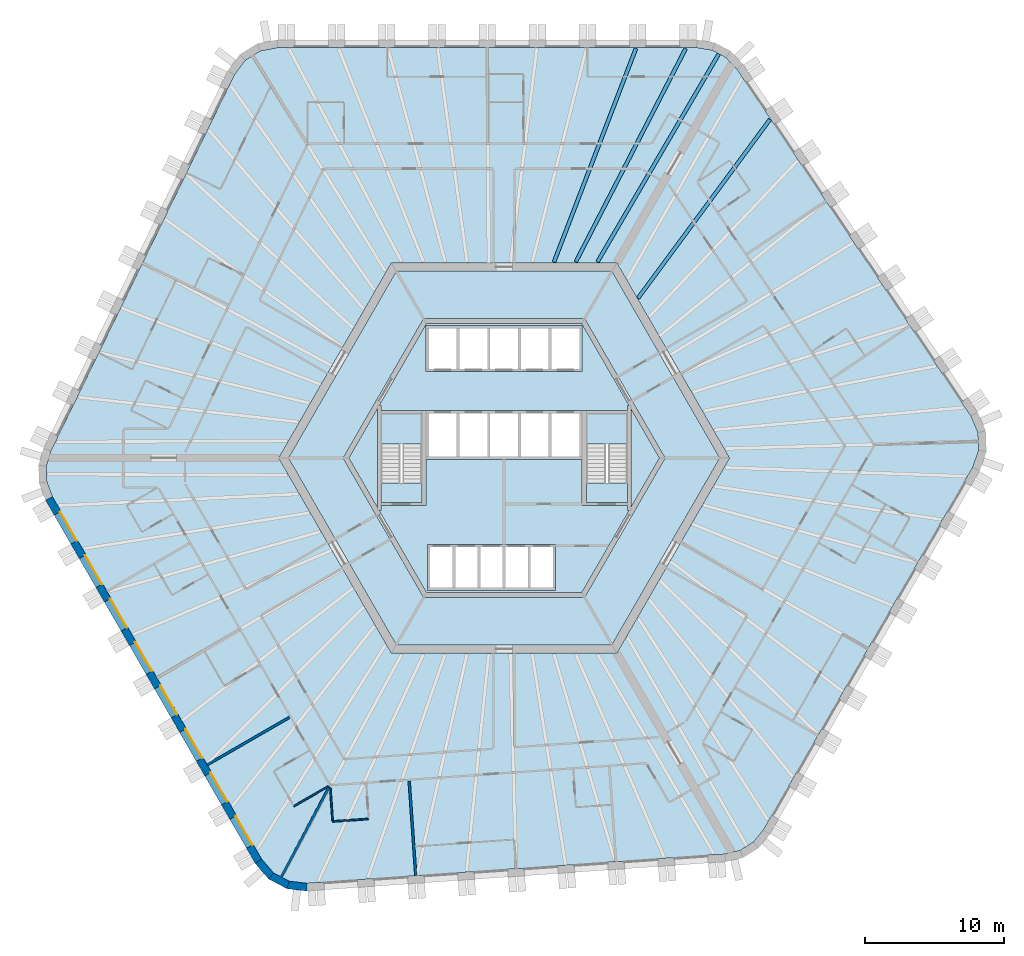
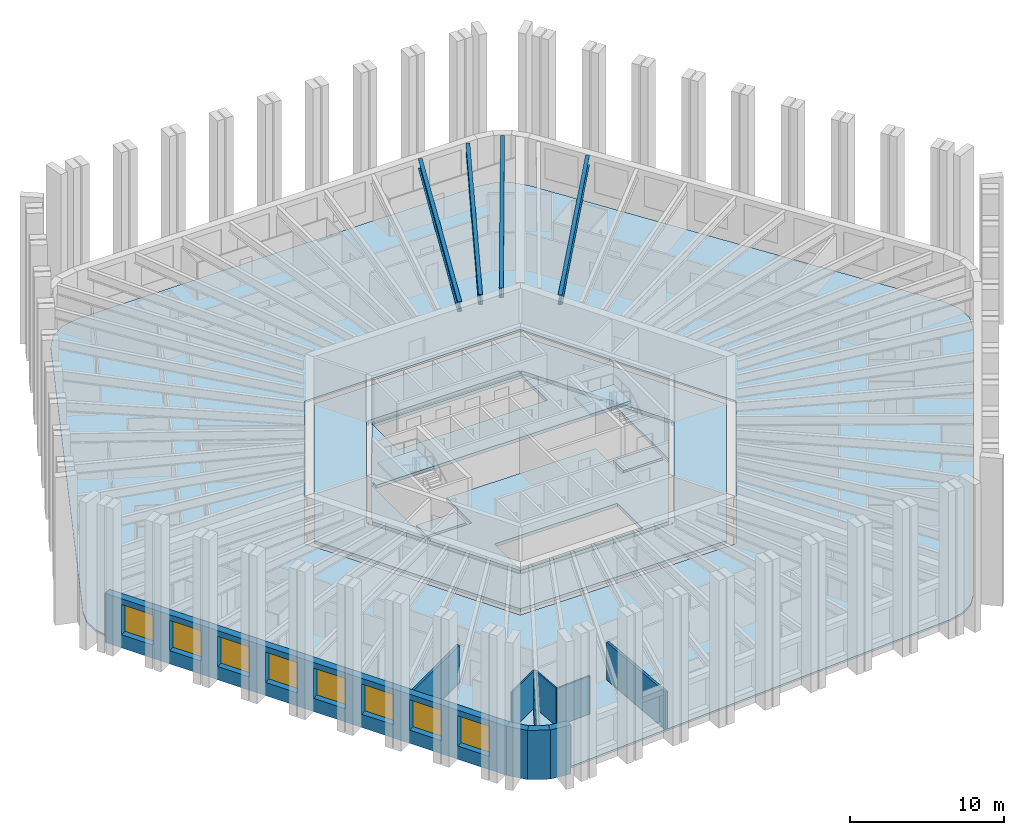
# One storey, part 2 of 12: 10 slabs, 10 walls, 8 windows, 4 beams, 8 openings, 2 elements without a shape of their own.
"""IFC4 building model written with IfcOpenShell, lengths in metres."""

from ifc_helpers import new_model, si_unit, direction, frame, frame_2d, origin, origin_2d, place, context, subcontext, project, spatial, polyline, rectangle, i_section, outline, extrude, material, layer, layer_set, material_profile, profile_set, type_object, element, fill, aggregate, save


model = new_model("IFC4")

# Units and contexts
model_context = context("Model", 3, precision=1e-05, world=origin(), true_north=direction((0.0, 1.0)))
body_context = subcontext(model_context, "Body", "Model", "MODEL_VIEW")
ifc_project = project(units=[si_unit("LENGTHUNIT", "METRE"), si_unit("AREAUNIT", "SQUARE_METRE"), si_unit("VOLUMEUNIT", "CUBIC_METRE"), si_unit("PLANEANGLEUNIT", "RADIAN"), si_unit("MASSUNIT", "GRAM", prefix="KILO")], contexts=[model_context])

# Site, building, storey
site_placement = place(None, origin())
site = spatial("IfcSite", under=ifc_project, at=site_placement, CompositionType="ELEMENT")
building_placement = place(site_placement, origin())
building = spatial("IfcBuilding", under=site, at=building_placement, Name="Tarnside Tower", CompositionType="ELEMENT")
storey_placement = place(building_placement, frame((0.0, 0.0, 49.199951171875)))
storey = spatial("IfcBuildingStorey", under=building, at=storey_placement, Name="L09", CompositionType="ELEMENT", Elevation=49.199951171875)

# Beams
ifc_material_1 = material(Name="Steel S355", Category="steel")
ifc_material_profile = material_profile(ifc_material_1, i_section(OverallWidth=0.2666015625, OverallDepth=0.76220703125, WebThickness=0.014404296875, FlangeThickness=0.021484375, FilletRadius=0.0166015625, at=origin_2d()), Name="UB 762x267x173")
ifc_profile_set = profile_set([ifc_material_profile], Name="Steel S355")
beam_type = type_object("IfcBeamType", Name="Floor beam UB 762x267x173", PredefinedType="BEAM", material=ifc_profile_set)
beam_1_placement = place(storey_placement, frame((13.0283203125, 29.37890625, 3.368896484375), z_axis=(-0.457973226459, -0.888965985765, 0.0), x_axis=(0.888965985765, -0.457973226459, 0.0)))
element("IfcBeam", 1, at=beam_1_placement, inside=storey, type_object=beam_type, Name="Floor beam F1.01", PredefinedType="BEAM", context=body_context, shape_type="SweptSolid", body=[
    extrude(i_section(OverallWidth=0.2666015625, OverallDepth=0.76220703125, WebThickness=0.014404296875, FlangeThickness=0.021484375, FilletRadius=0.0166015625, at=origin_2d()), origin(), (0.0, 0.0, 1.0), 17.219970703125),
])
beam_2_placement = place(storey_placement, frame((9.4619140625, 29.39404296875, 3.368896484375), z_axis=(-0.358299847269, -0.933606565662, 0.0), x_axis=(0.933606565662, -0.358299847269, 0.0)))
element("IfcBeam", 2, at=beam_2_placement, inside=storey, type_object=beam_type, Name="Floor beam F1.02", PredefinedType="BEAM", context=body_context, shape_type="SweptSolid", body=[
    extrude(i_section(OverallWidth=0.2666015625, OverallDepth=0.76220703125, WebThickness=0.014404296875, FlangeThickness=0.021484375, FilletRadius=0.0166015625, at=origin_2d()), origin(), (0.0, 0.0, 1.0), 16.428955078125),
])
beam_3_placement = place(storey_placement, frame((19.072021484375, 24.28857421875, 3.368896484375), z_axis=(-0.593986893499, -0.804474717037, 0.0), x_axis=(0.804474717037, -0.593986893499, 0.0)))
element("IfcBeam", 3, at=beam_3_placement, inside=storey, type_object=beam_type, Name="Floor beam F6.08", PredefinedType="BEAM", context=body_context, shape_type="SweptSolid", body=[
    extrude(i_section(OverallWidth=0.2666015625, OverallDepth=0.76220703125, WebThickness=0.014404296875, FlangeThickness=0.021484375, FilletRadius=0.0166015625, at=origin_2d()), origin(), (0.0, 0.0, 1.0), 15.934326171875),
])
beam_4_placement = place(storey_placement, frame((15.4013671875, 28.990478515625, 3.368896484375), z_axis=(-0.503858723096, -0.863786077198, 0.0), x_axis=(0.863786077198, -0.503858723096, 0.0)))
element("IfcBeam", 4, at=beam_4_placement, inside=storey, type_object=beam_type, Name="Floor beam C6", PredefinedType="BEAM", context=body_context, shape_type="SweptSolid", body=[
    extrude(i_section(OverallWidth=0.2666015625, OverallDepth=0.76220703125, WebThickness=0.014404296875, FlangeThickness=0.021484375, FilletRadius=0.0166015625, at=origin_2d()), origin(), (0.0, 0.0, 1.0), 17.2744140625),
])

# Slabs
ifc_material_2 = material(Name="Concrete C35/45", Category="concrete")
ifc_layer_1 = layer(ifc_material_2, 0.14990234375)
ifc_layer_set_1 = layer_set([ifc_layer_1], Name="Composite floor slab 150")
slab_type_1 = type_object("IfcSlabType", Name="Composite floor slab 150", PredefinedType="FLOOR", material=ifc_layer_set_1)
slab_1_placement = place(storey_placement, frame((0.0, 0.0, -0.14990234375)))
element("IfcSlab", 5, at=slab_1_placement, inside=storey, type_object=slab_type_1, Name="Floor slab L09", PredefinedType="FLOOR", context=body_context, shape_type="SweptSolid", body=[
    extrude(outline(polyline([(14.927490234375, 29.264892578125), (15.91455078125, 28.740234375), (16.697265625, 27.91064453125), (33.48583984375, 3.0205078125), (34.001220703125, 1.825439453125), (34.0458984375, 0.55078125), (33.614990234375, -0.67724609375), (18.603515625, -26.677978515625), (17.880615234375, -27.56005859375), (16.9326171875, -28.15234375), (15.82275390625, -28.41552734375), (-14.127197265625, -30.509765625), (-15.419921875, -30.358642578125), (-16.5458984375, -29.760009765625), (-17.39404296875, -28.772705078125), (-32.405517578125, -2.772216796875), (-32.80810546875, -1.704833984375), (-32.846923828125, -0.587890625), (-32.52001953125, 0.5048828125), (-19.358642578125, 27.4892578125), (-18.58154296875, 28.533203125), (-17.5, 29.208984375), (-16.220947265625, 29.449951171875), (13.802001953125, 29.449951171875), (14.927490234375, 29.264892578125)]), holes=[polyline([(-16.165771484375, 0.0), (-8.0830078125, -14.0), (8.0830078125, -14.0), (16.165771484375, 0.0), (8.0830078125, 14.0), (-8.0830078125, 14.0), (-16.165771484375, 0.0)])]), origin(), (0.0, 0.0, 1.0), 0.14990234375),
])
ifc_material_3 = material(Name="Concrete C40/50", Category="concrete")
ifc_layer_2 = layer(ifc_material_3, 0.25)
ifc_layer_set_2 = layer_set([ifc_layer_2], Name="Core slab C40/50")
slab_type_2 = type_object("IfcSlabType", Name="Core slab C40/50", PredefinedType="FLOOR", material=ifc_layer_set_2)
slab_2_placement = place(storey_placement, frame((0.0, 0.0, -0.25)))
element("IfcSlab", 6, at=slab_2_placement, inside=storey, type_object=slab_type_2, Name="L09 core floor slab 1", PredefinedType="FLOOR", context=body_context, shape_type="SweptSolid", body=[
    extrude(outline(polyline([(-15.472900390625, 0.0), (-7.736572265625, 13.39990234375), (7.736572265625, 13.39990234375), (15.472900390625, 0.0), (7.736572265625, -13.39990234375), (-7.736572265625, -13.39990234375), (-15.472900390625, 0.0)]), holes=[polyline([(5.823974609375, -9.91259765625), (11.49658203125, -0.08740234375), (11.344970703125, 0.0), (11.49658203125, 0.08740234375), (5.823974609375, 9.91259765625), (5.672607421875, 9.824951171875), (5.672607421875, 10.0), (-5.672607421875, 10.0), (-5.672607421875, 9.824951171875), (-5.823974609375, 9.91259765625), (-11.49658203125, 0.08740234375), (-11.344970703125, 0.0), (-11.49658203125, -0.08740234375), (-5.823974609375, -9.91259765625), (-5.672607421875, -9.824951171875), (-5.672607421875, -10.0), (5.672607421875, -10.0), (5.672607421875, -9.824951171875), (5.823974609375, -9.91259765625)])]), origin(), (0.0, 0.0, 1.0), 0.25),
])
slab_3_placement = place(storey_placement, frame((0.0, 0.0, -0.25)))
element("IfcSlab", 7, at=slab_3_placement, inside=storey, type_object=slab_type_2, Name="L09 core floor slab 2", PredefinedType="FLOOR", context=body_context, shape_type="SweptSolid", body=[
    extrude(outline(polyline([(-8.97509765625, 3.7548828125), (-5.5712890625, 9.64990234375), (5.5712890625, 9.64990234375), (8.97509765625, 3.7548828125), (8.85009765625, 3.7548828125), (8.85009765625, 3.39990234375), (5.89990234375, 3.39990234375), (5.60009765625, 3.39990234375), (5.60009765625, 3.39990234375), (-5.60009765625, 3.39990234375), (-5.89990234375, 3.39990234375), (-8.85009765625, 3.39990234375), (-8.85009765625, 3.7548828125), (-8.97509765625, 3.7548828125)]), holes=[polyline([(-5.60009765625, 6.199951171875), (5.60009765625, 6.199951171875), (5.60009765625, 6.39990234375), (5.60009765625, 9.300048828125), (5.60009765625, 9.5), (-5.60009765625, 9.5), (-5.60009765625, 9.300048828125), (-5.60009765625, 6.39990234375), (-5.60009765625, 6.199951171875)])]), origin(), (0.0, 0.0, 1.0), 0.25),
])
slab_4_placement = place(storey_placement, frame((0.0, 0.0, -0.25)))
element("IfcSlab", 8, at=slab_4_placement, inside=storey, type_object=slab_type_2, Name="L09 core floor slab 3", PredefinedType="FLOOR", context=body_context, shape_type="SweptSolid", body=[
    extrude(outline(polyline([(5.60009765625, -3.39990234375), (5.89990234375, -3.39990234375), (8.85009765625, -3.39990234375), (8.85009765625, -3.7548828125), (8.97509765625, -3.7548828125), (5.5712890625, -9.64990234375), (-5.5712890625, -9.64990234375), (-8.97509765625, -3.7548828125), (-8.85009765625, -3.7548828125), (-8.85009765625, -3.39990234375), (-5.89990234375, -3.39990234375), (-5.60009765625, -3.39990234375), (-5.60009765625, -0.10009765625), (5.60009765625, -0.10009765625), (5.60009765625, -3.39990234375)]), holes=[polyline([(-5.5, -9.300048828125), (-5.5, -9.5), (3.699951171875, -9.5), (3.699951171875, -9.300048828125), (3.699951171875, -6.39990234375), (3.699951171875, -6.199951171875), (-5.5, -6.199951171875), (-5.5, -6.39990234375), (-5.5, -9.300048828125)])]), origin(), (0.0, 0.0, 1.0), 0.25),
])
slab_5_placement = place(storey_placement, frame((0.0, 0.0, -0.25)))
element("IfcSlab", 9, at=slab_5_placement, inside=storey, type_object=slab_type_2, Name="L09 core floor slab 4", PredefinedType="FLOOR", context=body_context, shape_type="SweptSolid", body=[
    extrude(outline(polyline([(-11.142822265625, 0.0), (-9.10009765625, 3.538330078125), (-9.10009765625, -3.538330078125), (-11.142822265625, 0.0)])), origin(), (0.0, 0.0, 1.0), 0.25),
])
slab_6_placement = place(storey_placement, frame((0.0, 0.0, -0.25)))
element("IfcSlab", 10, at=slab_6_placement, inside=storey, type_object=slab_type_2, Name="L09 core floor slab 5", PredefinedType="FLOOR", context=body_context, shape_type="SweptSolid", body=[
    extrude(outline(polyline([(-8.85009765625, -1.800048828125), (-5.89990234375, -1.800048828125), (-5.89990234375, -3.199951171875), (-8.85009765625, -3.199951171875), (-8.85009765625, -1.800048828125)])), origin(), (0.0, 0.0, 1.0), 0.25),
])
slab_7_placement = place(storey_placement, frame((0.0, 0.0, -0.25)))
element("IfcSlab", 11, at=slab_7_placement, inside=storey, type_object=slab_type_2, Name="L09 core floor slab 6", PredefinedType="FLOOR", context=body_context, shape_type="SweptSolid", body=[
    extrude(outline(polyline([(5.89990234375, -3.199951171875), (5.89990234375, -1.800048828125), (8.85009765625, -1.800048828125), (8.85009765625, -3.199951171875), (5.89990234375, -3.199951171875)])), origin(), (0.0, 0.0, 1.0), 0.25),
])
slab_8_placement = place(storey_placement, frame((0.0, 0.0, -0.25)))
element("IfcSlab", 12, at=slab_8_placement, inside=storey, type_object=slab_type_2, Name="L09 core floor slab 7", PredefinedType="FLOOR", context=body_context, shape_type="SweptSolid", body=[
    extrude(outline(polyline([(9.10009765625, -3.538330078125), (9.10009765625, 3.538330078125), (11.142822265625, 0.0), (9.10009765625, -3.538330078125)])), origin(), (0.0, 0.0, 1.0), 0.25),
])

# Stair, slab
stair_type = type_object("IfcStairType", Name="Exit stair 1400 clear", PredefinedType="HALF_TURN_STAIR", material=ifc_material_3)
stair_1_placement = place(storey_placement, origin())
stair_1 = element("IfcStair", 13, at=stair_1_placement, inside=storey, type_object=stair_type, Name="L09 Exit stair 1", PredefinedType="HALF_TURN_STAIR")
ifc_layer_3 = layer(ifc_material_3, 0.199951171875)
ifc_layer_set_3 = layer_set([ifc_layer_3], Name="Stair landing 200 C40/50")
slab_type_3 = type_object("IfcSlabType", Name="Stair landing 200 C40/50", PredefinedType="LANDING", material=ifc_layer_set_3)
slab_9_placement = place(storey_placement, frame((0.0, 0.0, 1.75)))
slab_9 = element("IfcSlab", 14, at=slab_9_placement, type_object=slab_type_3, Name="ST1 landing 1", PredefinedType="LANDING", context=body_context, shape_type="SweptSolid", body=[
    extrude(outline(polyline([(8.85009765625, 1.0), (8.85009765625, 3.199951171875), (5.89990234375, 3.199951171875), (5.89990234375, 1.0), (8.85009765625, 1.0)])), origin(), (0.0, 0.0, 1.0), 0.199951171875),
])
aggregate(stair_1, [slab_9])

stair_2_placement = place(storey_placement, origin())
stair_2 = element("IfcStair", 15, at=stair_2_placement, inside=storey, type_object=stair_type, Name="L09 Exit stair 2", PredefinedType="HALF_TURN_STAIR")
slab_10_placement = place(storey_placement, frame((0.0, 0.0, 1.75)))
slab_10 = element("IfcSlab", 16, at=slab_10_placement, type_object=slab_type_3, Name="ST2 landing 1", PredefinedType="LANDING", context=body_context, shape_type="SweptSolid", body=[
    extrude(outline(polyline([(-5.89990234375, 1.0), (-5.89990234375, 3.199951171875), (-8.85009765625, 3.199951171875), (-8.85009765625, 1.0), (-5.89990234375, 1.0)])), origin(), (0.0, 0.0, 1.0), 0.199951171875),
])
aggregate(stair_2, [slab_10])

# Walls
ifc_material_4 = material(Name="Gypsum board partition on steel studs", Category="steel")
ifc_layer_4 = layer(ifc_material_4, 0.10009765625)
ifc_layer_set_4 = layer_set([ifc_layer_4], Name="Bathroom wall 100")
wall_type_1 = type_object("IfcWallType", Name="Bathroom wall 100", PredefinedType="PARTITIONING", material=ifc_layer_set_4)
wall_1_placement = place(storey_placement, frame((-12.631591796875, -23.5634765625, 0.0), z_axis=(0.0, 0.0, 1.0), x_axis=(-0.866014564827, -0.500018773155, 0.0)))
element("IfcWall", 17, at=wall_1_placement, inside=storey, type_object=wall_type_1, Name="Bathroom wall 02113", PredefinedType="PARTITIONING", context=body_context, shape_type="SweptSolid", body=[
    extrude(rectangle(XDim=2.8291015625, YDim=0.10009765625, at=frame_2d((1.41455078125, 0.0))), origin(), (0.0, 0.0, 1.0), 2.98779296875),
])
wall_2_placement = place(storey_placement, frame((-9.75830078125, -25.893798828125, 0.0), z_axis=(0.0, 0.0, 1.0), x_axis=(-0.997561167558, -0.069797686069, 0.0)))
element("IfcWall", 18, at=wall_2_placement, inside=storey, type_object=wall_type_1, Name="Bathroom wall 02118", PredefinedType="PARTITIONING", context=body_context, shape_type="SweptSolid", body=[
    extrude(rectangle(XDim=2.5498046875, YDim=0.10009765625, at=frame_2d((1.27490234375, 0.0))), origin(), (0.0, 0.0, 1.0), 2.98779296875),
])
wall_3_placement = place(storey_placement, frame((-12.3056640625, -26.021728515625, 0.0), z_axis=(0.0, 0.0, 1.0), x_axis=(-0.069686144822, 0.997568965646, 0.0)))
element("IfcWall", 19, at=wall_3_placement, inside=storey, type_object=wall_type_1, Name="Bathroom wall 02119", PredefinedType="PARTITIONING", context=body_context, shape_type="SweptSolid", body=[
    extrude(rectangle(XDim=2.37890625, YDim=0.10009765625, at=frame_2d((1.189453125, 0.0))), origin(), (0.0, 0.0, 1.0), 2.98779296875),
])
ifc_layer_5 = layer(ifc_material_4, 0.179931640625)
ifc_layer_set_5 = layer_set([ifc_layer_5], Name="Demising wall 180 EI 60")
wall_type_2 = type_object("IfcWallType", Name="Demising wall 180 EI 60", PredefinedType="PARTITIONING", material=ifc_layer_set_5)
wall_4_placement = place(storey_placement, frame((-21.298828125, -22.00927734375, 0.0), z_axis=(0.0, 0.0, 1.0), x_axis=(0.866019982719, 0.500009389444, 0.0)))
element("IfcWall", 20, at=wall_4_placement, inside=storey, type_object=wall_type_2, Name="Demising wall 02112", PredefinedType="PARTITIONING", context=body_context, shape_type="SweptSolid", body=[
    extrude(rectangle(XDim=6.824951171875, YDim=0.179931640625, at=frame_2d((3.41259765625, 0.0))), origin(), (0.0, 0.0, 1.0), 2.98779296875),
])
wall_5_placement = place(storey_placement, frame((-15.98291015625, -30.059326171875, 0.0), z_axis=(0.0, 0.0, 1.0), x_axis=(0.469493679368, 0.882935832909, 0.0)))
element("IfcWall", 21, at=wall_5_placement, inside=storey, type_object=wall_type_2, Name="Demising wall 02116", PredefinedType="PARTITIONING", context=body_context, shape_type="SweptSolid", body=[
    extrude(rectangle(XDim=7.365478515625, YDim=0.179931640625, at=frame_2d((3.6826171875, 0.0))), origin(), (0.0, 0.0, 1.0), 2.98779296875),
])
wall_6_placement = place(storey_placement, frame((-6.336181640625, -29.965087890625, 0.0), z_axis=(0.0, 0.0, 1.0), x_axis=(-0.069790326764, 0.997561682449, 0.0)))
element("IfcWall", 22, at=wall_6_placement, inside=storey, type_object=wall_type_2, Name="Demising wall 02120", PredefinedType="PARTITIONING", context=body_context, shape_type="SweptSolid", body=[
    extrude(rectangle(XDim=6.824951171875, YDim=0.179931640625, at=frame_2d((3.41259765625, 0.0))), origin(), (0.0, 0.0, 1.0), 2.98779296875),
])

# Wall, openings, windows
ifc_material_5 = material(Name="Facing brick", Category="masonry")
ifc_layer_6 = layer(ifc_material_5, 0.10205078125)
ifc_material_6 = material(Name="Concrete C60/75 precast", Category="concrete")
ifc_layer_7 = layer(ifc_material_6, 0.347900390625)
ifc_material_7 = material(Name="Mineral wool insulation")
ifc_layer_8 = layer(ifc_material_7, 0.10009765625)
ifc_layer_set_6 = layer_set([ifc_layer_6, ifc_layer_7, ifc_layer_8], Name="Tube wall 550 brick faced")
wall_type_3 = type_object("IfcWallType", Name="Tube wall 550 brick faced", PredefinedType="SOLIDWALL", material=ifc_layer_set_6)
wall_7_placement = place(storey_placement, frame((-32.65478515625, -2.89013671875, -0.14990234375), z_axis=(0.0, 0.0, 1.0), x_axis=(0.499997711317, -0.866026725152, 0.0)))
wall_7 = element("IfcWall", 23, at=wall_7_placement, inside=storey, type_object=wall_type_3, Name="Tube wall L09 F3 flush 08", PredefinedType="SOLIDWALL", context=body_context, shape_type="SweptSolid", body=[
    extrude(outline(polyline([(-0.0224609375, -0.27490234375), (30.0966796875, -0.27490234375), (30.04541015625, 0.27490234375), (0.0224609375, 0.27490234375), (-0.0224609375, -0.27490234375)])), origin(), (0.0, 0.0, 1.0), 3.89990234375),
])
opening_1_placement = place(wall_7_placement, frame((1.235595703125, 0.0, 1.050048828125)))
opening_1 = element("IfcOpeningElement", 24, at=opening_1_placement, cuts=wall_7, Name="Opening WH", PredefinedType="OPENING", context=body_context, shape_type="SweptSolid", body=[
    extrude(rectangle(XDim=2.39990234375, YDim=2.39990234375, at=frame_2d((1.199951171875, 1.199951171875))), frame((0.0, 0.28515625, 0.0), z_axis=(0.0, -1.0, 0.0), x_axis=(1.0, 0.0, 0.0)), (0.0, 0.0, 1.0), 0.570068359375),
])
opening_2_placement = place(wall_7_placement, frame((4.83544921875, 0.0, 1.050048828125)))
opening_2 = element("IfcOpeningElement", 25, at=opening_2_placement, cuts=wall_7, Name="Opening WH", PredefinedType="OPENING", context=body_context, shape_type="SweptSolid", body=[
    extrude(rectangle(XDim=2.39990234375, YDim=2.39990234375, at=frame_2d((1.199951171875, 1.199951171875))), frame((0.0, 0.28515625, 0.0), z_axis=(0.0, -1.0, 0.0), x_axis=(1.0, 0.0, 0.0)), (0.0, 0.0, 1.0), 0.570068359375),
])
opening_3_placement = place(wall_7_placement, frame((8.435546875, 0.0, 1.050048828125)))
opening_3 = element("IfcOpeningElement", 26, at=opening_3_placement, cuts=wall_7, Name="Opening WH", PredefinedType="OPENING", context=body_context, shape_type="SweptSolid", body=[
    extrude(rectangle(XDim=2.39990234375, YDim=2.39990234375, at=frame_2d((1.199951171875, 1.199951171875))), frame((0.0, 0.28515625, 0.0), z_axis=(0.0, -1.0, 0.0), x_axis=(1.0, 0.0, 0.0)), (0.0, 0.0, 1.0), 0.570068359375),
])
opening_4_placement = place(wall_7_placement, frame((12.035400390625, 0.0, 1.050048828125)))
opening_4 = element("IfcOpeningElement", 27, at=opening_4_placement, cuts=wall_7, Name="Opening WH", PredefinedType="OPENING", context=body_context, shape_type="SweptSolid", body=[
    extrude(rectangle(XDim=2.39990234375, YDim=2.39990234375, at=frame_2d((1.199951171875, 1.199951171875))), frame((0.0, 0.28515625, 0.0), z_axis=(0.0, -1.0, 0.0), x_axis=(1.0, 0.0, 0.0)), (0.0, 0.0, 1.0), 0.570068359375),
])
opening_5_placement = place(wall_7_placement, frame((15.635498046875, 0.0, 1.050048828125)))
opening_5 = element("IfcOpeningElement", 28, at=opening_5_placement, cuts=wall_7, Name="Opening WH", PredefinedType="OPENING", context=body_context, shape_type="SweptSolid", body=[
    extrude(rectangle(XDim=2.39990234375, YDim=2.39990234375, at=frame_2d((1.199951171875, 1.199951171875))), frame((0.0, 0.28515625, 0.0), z_axis=(0.0, -1.0, 0.0), x_axis=(1.0, 0.0, 0.0)), (0.0, 0.0, 1.0), 0.570068359375),
])
opening_6_placement = place(wall_7_placement, frame((19.235595703125, 0.0, 1.050048828125)))
opening_6 = element("IfcOpeningElement", 29, at=opening_6_placement, cuts=wall_7, Name="Opening WH", PredefinedType="OPENING", context=body_context, shape_type="SweptSolid", body=[
    extrude(rectangle(XDim=2.39990234375, YDim=2.39990234375, at=frame_2d((1.199951171875, 1.199951171875))), frame((0.0, 0.28515625, 0.0), z_axis=(0.0, -1.0, 0.0), x_axis=(1.0, 0.0, 0.0)), (0.0, 0.0, 1.0), 0.570068359375),
])
opening_7_placement = place(wall_7_placement, frame((22.83544921875, 0.0, 1.050048828125)))
opening_7 = element("IfcOpeningElement", 30, at=opening_7_placement, cuts=wall_7, Name="Opening WH", PredefinedType="OPENING", context=body_context, shape_type="SweptSolid", body=[
    extrude(rectangle(XDim=2.39990234375, YDim=2.39990234375, at=frame_2d((1.199951171875, 1.199951171875))), frame((0.0, 0.28515625, 0.0), z_axis=(0.0, -1.0, 0.0), x_axis=(1.0, 0.0, 0.0)), (0.0, 0.0, 1.0), 0.570068359375),
])
opening_8_placement = place(wall_7_placement, frame((26.435546875, 0.0, 1.050048828125)))
opening_8 = element("IfcOpeningElement", 31, at=opening_8_placement, cuts=wall_7, Name="Opening WH", PredefinedType="OPENING", context=body_context, shape_type="SweptSolid", body=[
    extrude(rectangle(XDim=2.39990234375, YDim=2.39990234375, at=frame_2d((1.199951171875, 1.199951171875))), frame((0.0, 0.28515625, 0.0), z_axis=(0.0, -1.0, 0.0), x_axis=(1.0, 0.0, 0.0)), (0.0, 0.0, 1.0), 0.570068359375),
])
ifc_material_8 = material(Name="Aluminium-framed double glazing", Category="aluminium")
window_type = type_object("IfcWindowType", Name="Hotel window 2400 x 2400", PartitioningType="DOUBLE_PANEL_VERTICAL", PredefinedType="WINDOW", material=ifc_material_8)
window_1_placement = place(opening_1_placement, frame((0.0, 0.205078125, 0.0)))
window_1 = element("IfcWindow", 32, at=window_1_placement, inside=storey, type_object=window_type, Name="E.WN.L09.F3.00", OverallHeight=2.39990234375, OverallWidth=2.39990234375, PartitioningType="DOUBLE_PANEL_VERTICAL", PredefinedType="WINDOW", context=body_context, shape_type="SweptSolid", body=[
    extrude(rectangle(XDim=2.39990234375, YDim=2.39990234375, at=frame_2d((1.199951171875, 1.199951171875))), frame((0.0, 0.030029296875, 0.0), z_axis=(0.0, -1.0, 0.0), x_axis=(1.0, 0.0, 0.0)), (0.0, 0.0, 1.0), 0.06005859375),
])
fill(opening_1, window_1)
window_2_placement = place(opening_2_placement, frame((0.0, 0.205078125, 0.0)))
window_2 = element("IfcWindow", 33, at=window_2_placement, inside=storey, type_object=window_type, Name="E.WN.L09.F3.01", OverallHeight=2.39990234375, OverallWidth=2.39990234375, PartitioningType="DOUBLE_PANEL_VERTICAL", PredefinedType="WINDOW", context=body_context, shape_type="SweptSolid", body=[
    extrude(rectangle(XDim=2.39990234375, YDim=2.39990234375, at=frame_2d((1.199951171875, 1.199951171875))), frame((0.0, 0.030029296875, 0.0), z_axis=(0.0, -1.0, 0.0), x_axis=(1.0, 0.0, 0.0)), (0.0, 0.0, 1.0), 0.06005859375),
])
fill(opening_2, window_2)
window_3_placement = place(opening_3_placement, frame((0.0, 0.205078125, 0.0)))
window_3 = element("IfcWindow", 34, at=window_3_placement, inside=storey, type_object=window_type, Name="E.WN.L09.F3.02", OverallHeight=2.39990234375, OverallWidth=2.39990234375, PartitioningType="DOUBLE_PANEL_VERTICAL", PredefinedType="WINDOW", context=body_context, shape_type="SweptSolid", body=[
    extrude(rectangle(XDim=2.39990234375, YDim=2.39990234375, at=frame_2d((1.199951171875, 1.199951171875))), frame((0.0, 0.030029296875, 0.0), z_axis=(0.0, -1.0, 0.0), x_axis=(1.0, 0.0, 0.0)), (0.0, 0.0, 1.0), 0.06005859375),
])
fill(opening_3, window_3)
window_4_placement = place(opening_4_placement, frame((0.0, 0.205078125, 0.0)))
window_4 = element("IfcWindow", 35, at=window_4_placement, inside=storey, type_object=window_type, Name="E.WN.L09.F3.03", OverallHeight=2.39990234375, OverallWidth=2.39990234375, PartitioningType="DOUBLE_PANEL_VERTICAL", PredefinedType="WINDOW", context=body_context, shape_type="SweptSolid", body=[
    extrude(rectangle(XDim=2.39990234375, YDim=2.39990234375, at=frame_2d((1.199951171875, 1.199951171875))), frame((0.0, 0.030029296875, 0.0), z_axis=(0.0, -1.0, 0.0), x_axis=(1.0, 0.0, 0.0)), (0.0, 0.0, 1.0), 0.06005859375),
])
fill(opening_4, window_4)
window_5_placement = place(opening_5_placement, frame((0.0, 0.205078125, 0.0)))
window_5 = element("IfcWindow", 36, at=window_5_placement, inside=storey, type_object=window_type, Name="E.WN.L09.F3.04", OverallHeight=2.39990234375, OverallWidth=2.39990234375, PartitioningType="DOUBLE_PANEL_VERTICAL", PredefinedType="WINDOW", context=body_context, shape_type="SweptSolid", body=[
    extrude(rectangle(XDim=2.39990234375, YDim=2.39990234375, at=frame_2d((1.199951171875, 1.199951171875))), frame((0.0, 0.030029296875, 0.0), z_axis=(0.0, -1.0, 0.0), x_axis=(1.0, 0.0, 0.0)), (0.0, 0.0, 1.0), 0.06005859375),
])
fill(opening_5, window_5)
window_6_placement = place(opening_6_placement, frame((0.0, 0.205078125, 0.0)))
window_6 = element("IfcWindow", 37, at=window_6_placement, inside=storey, type_object=window_type, Name="E.WN.L09.F3.05", OverallHeight=2.39990234375, OverallWidth=2.39990234375, PartitioningType="DOUBLE_PANEL_VERTICAL", PredefinedType="WINDOW", context=body_context, shape_type="SweptSolid", body=[
    extrude(rectangle(XDim=2.39990234375, YDim=2.39990234375, at=frame_2d((1.199951171875, 1.199951171875))), frame((0.0, 0.030029296875, 0.0), z_axis=(0.0, -1.0, 0.0), x_axis=(1.0, 0.0, 0.0)), (0.0, 0.0, 1.0), 0.06005859375),
])
fill(opening_6, window_6)
window_7_placement = place(opening_7_placement, frame((0.0, 0.205078125, 0.0)))
window_7 = element("IfcWindow", 38, at=window_7_placement, inside=storey, type_object=window_type, Name="E.WN.L09.F3.06", OverallHeight=2.39990234375, OverallWidth=2.39990234375, PartitioningType="DOUBLE_PANEL_VERTICAL", PredefinedType="WINDOW", context=body_context, shape_type="SweptSolid", body=[
    extrude(rectangle(XDim=2.39990234375, YDim=2.39990234375, at=frame_2d((1.199951171875, 1.199951171875))), frame((0.0, 0.030029296875, 0.0), z_axis=(0.0, -1.0, 0.0), x_axis=(1.0, 0.0, 0.0)), (0.0, 0.0, 1.0), 0.06005859375),
])
fill(opening_7, window_7)
window_8_placement = place(opening_8_placement, frame((0.0, 0.205078125, 0.0)))
window_8 = element("IfcWindow", 39, at=window_8_placement, inside=storey, type_object=window_type, Name="E.WN.L09.F3.07", OverallHeight=2.39990234375, OverallWidth=2.39990234375, PartitioningType="DOUBLE_PANEL_VERTICAL", PredefinedType="WINDOW", context=body_context, shape_type="SweptSolid", body=[
    extrude(rectangle(XDim=2.39990234375, YDim=2.39990234375, at=frame_2d((1.199951171875, 1.199951171875))), frame((0.0, 0.030029296875, 0.0), z_axis=(0.0, -1.0, 0.0), x_axis=(1.0, 0.0, 0.0)), (0.0, 0.0, 1.0), 0.06005859375),
])
fill(opening_8, window_8)

# Walls
wall_8_placement = place(storey_placement, frame((-17.619384765625, -28.932373046875, -0.14990234375), z_axis=(0.0, 0.0, 1.0), x_axis=(0.651621950847, -0.758543890078, 0.0)))
element("IfcWall", 40, at=wall_8_placement, inside=storey, type_object=wall_type_3, Name="Tube wall L09 F3 chord 09", PredefinedType="SOLIDWALL", context=body_context, shape_type="SweptSolid", body=[
    extrude(outline(polyline([(-0.025634765625, -0.27490234375), (1.430908203125, -0.27490234375), (1.327392578125, 0.27490234375), (0.025634765625, 0.27490234375), (-0.025634765625, -0.27490234375)])), origin(), (0.0, 0.0, 1.0), 3.89990234375),
])
wall_9_placement = place(storey_placement, frame((-16.720703125, -29.978515625, -0.14990234375), z_axis=(0.0, 0.0, 1.0), x_axis=(0.882994189209, -0.469383917304, 0.0)))
element("IfcWall", 41, at=wall_9_placement, inside=storey, type_object=wall_type_3, Name="Tube wall L09 F3 chord 10", PredefinedType="SOLIDWALL", context=body_context, shape_type="SweptSolid", body=[
    extrude(outline(polyline([(-0.0517578125, -0.27490234375), (1.4306640625, -0.27490234375), (1.3271484375, 0.27490234375), (0.0517578125, 0.27490234375), (-0.0517578125, -0.27490234375)])), origin(), (0.0, 0.0, 1.0), 3.89990234375),
])
wall_10_placement = place(storey_placement, frame((-15.503173828125, -30.625732421875, -0.14990234375), z_axis=(0.0, 0.0, 1.0), x_axis=(0.993232537394, -0.11614269956, 0.0)))
element("IfcWall", 42, at=wall_10_placement, inside=storey, type_object=wall_type_3, Name="Tube wall L09 F3 chord 11", PredefinedType="SOLIDWALL", context=body_context, shape_type="SweptSolid", body=[
    extrude(outline(polyline([(-0.0517578125, -0.27490234375), (1.404541015625, -0.27490234375), (1.353271484375, 0.27490234375), (0.0517578125, 0.27490234375), (-0.0517578125, -0.27490234375)])), origin(), (0.0, 0.0, 1.0), 3.89990234375),
])

save(model, "model.ifc")
